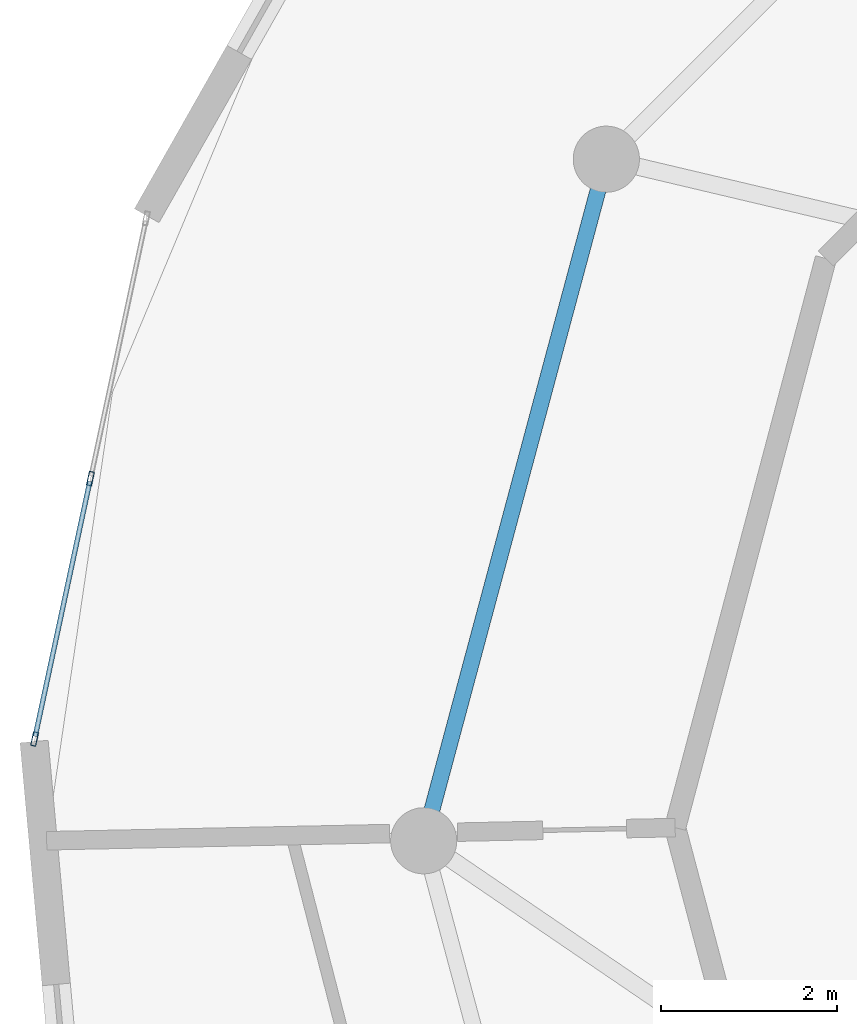
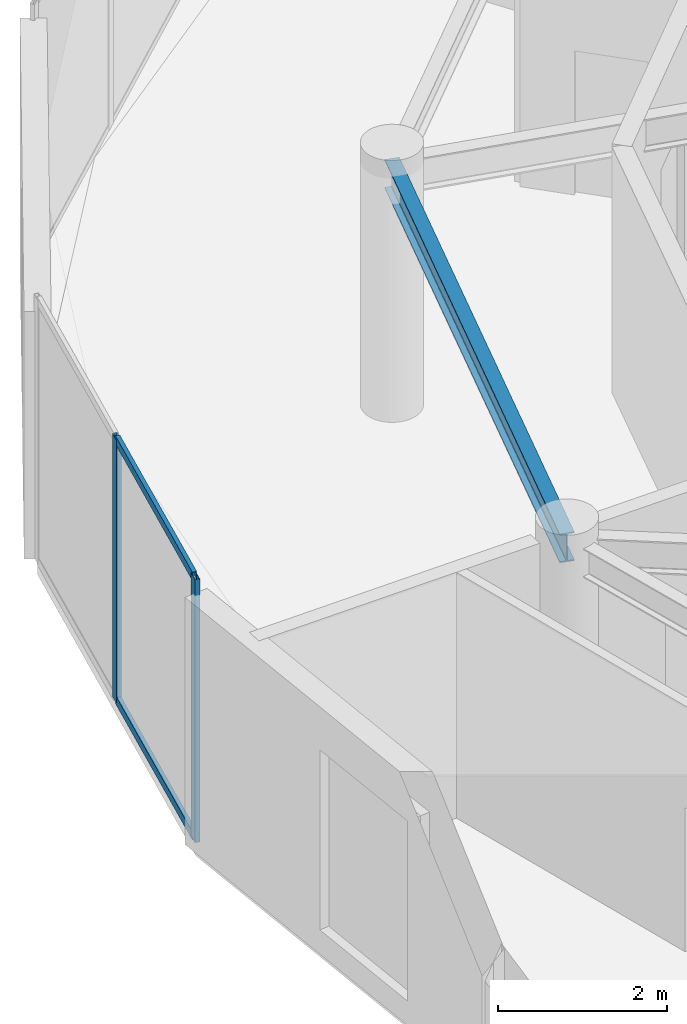
# One storey, part 7 of 22: 4 members, 1 beam, 1 element without a shape of its own.
"""IFC4 building model written with IfcOpenShell, lengths in metres."""

from ifc_helpers import new_model, si_unit, direction, frame, origin, origin_2d, place, context, subcontext, project, spatial, hollow_rectangle, i_section, extrude, source, transform, mapped, material, layer, layer_set, material_profile, profile_set, type_object, element, aggregate, save


model = new_model("IFC4")

# Units and contexts
model_context = context("Model", 3, precision=1e-05, world=origin(), true_north=direction((0.0, 1.0)))
body_context = subcontext(model_context, "Body", "Model", "MODEL_VIEW")
ifc_project = project(units=[si_unit("LENGTHUNIT", "METRE"), si_unit("AREAUNIT", "SQUARE_METRE"), si_unit("VOLUMEUNIT", "CUBIC_METRE"), si_unit("PLANEANGLEUNIT", "RADIAN"), si_unit("MASSUNIT", "GRAM", prefix="KILO")], contexts=[model_context])

# Site, building, storey
site_placement = place(None, origin())
site = spatial("IfcSite", under=ifc_project, at=site_placement, CompositionType="ELEMENT")
building_placement = place(site_placement, origin())
building = spatial("IfcBuilding", under=site, at=building_placement, Name="Solvirekh Grand Hotel", CompositionType="ELEMENT")
storey_placement = place(building_placement, frame((0.0, 0.0, 289.60009765625)))
storey = spatial("IfcBuildingStorey", under=building, at=storey_placement, Name="L75", CompositionType="ELEMENT", Elevation=289.60009765625)

# Beam
ifc_material_1 = material(Name="Steel S355", Category="steel")
ifc_material_profile_1 = material_profile(ifc_material_1, i_section(OverallWidth=0.180908203125, OverallDepth=0.4169921875, WebThickness=0.010009765625, FlangeThickness=0.01611328125, FilletRadius=0.011962890625, at=origin_2d()), Name="W410X85")
ifc_profile_set_1 = profile_set([ifc_material_profile_1], Name="Steel S355")
beam_type = type_object("IfcBeamType", Name="Spandrel_Ring_W410", PredefinedType="SPANDREL", material=ifc_profile_set_1)
beam_placement = place(storey_placement, frame((-13.3798828125, 7.72509765625, 3.36181640625), z_axis=(-0.258834757072, -0.965921616143, 0.0), x_axis=(0.965921616143, -0.258834757072, 0.0)))
element("IfcBeam", 1, at=beam_placement, inside=storey, type_object=beam_type, Name="L75 perimeter spandrel beam 6", PredefinedType="SPANDREL", context=body_context, shape_type="SweptSolid", body=[
    extrude(i_section(OverallWidth=0.180908203125, OverallDepth=0.4169921875, WebThickness=0.010009765625, FlangeThickness=0.01611328125, FilletRadius=0.011962890625, at=origin_2d()), origin(), (0.0, 0.0, 1.0), 7.99755859375),
])

# Curtain wall, members
ifc_material_2 = material(Name="Anodized Bronze Aluminium 6063-T6", Category="aluminium")
ifc_layer = layer(ifc_material_2, 0.159912109375)
ifc_layer_set = layer_set([ifc_layer], Name="Anodized Bronze Aluminium 6063-T6")
curtain_wall_type = type_object("IfcCurtainWallType", Name="CW_Sys4_HighZoneFlushBronzeCW", PredefinedType="NOTDEFINED", material=ifc_layer_set)
curtain_wall_placement = place(storey_placement, origin())
curtain_wall = element("IfcCurtainWall", 2, at=curtain_wall_placement, inside=storey, type_object=curtain_wall_type, Name="L75 unitised bronze-glass curtain wall CW-L75-C15", PredefinedType="NOTDEFINED")
ifc_material_profile_2 = material_profile(ifc_material_2, hollow_rectangle(XDim=0.06005859375, YDim=0.159912109375, WallThickness=0.0048828125, at=origin_2d()), Name="ALU RHS 160X60X5")
ifc_profile_set_2 = profile_set([ifc_material_profile_2], Name="Anodized Bronze Aluminium 6063-T6")
member_type_1 = type_object("IfcMemberType", Name="CWMullion_Sys4", PredefinedType="MULLION", material=ifc_profile_set_2)
shared_shape_1 = source(origin(), body_context, "Body", "SweptSolid", [
    extrude(hollow_rectangle(XDim=0.06005859375, YDim=0.159912109375, WallThickness=0.0048828125, at=origin_2d()), origin(), (0.0, 0.0, 1.0), 3.7998046875),
])
member_1_placement = place(storey_placement, frame((-19.2275390625, 4.10498046875, 0.0), z_axis=(0.0, 0.0, 1.0), x_axis=(0.977807215623, -0.209506680265, 0.0)))
member_1 = element("IfcMember", 3, at=member_1_placement, type_object=member_type_1, Name="U04 mullion 2", PredefinedType="MULLION", context=body_context, shape_type="MappedRepresentation", body=[
    mapped(shared_shape_1, transform((0.0, 0.0, 0.0), x_axis=(1.0, 0.0, 0.0), y_axis=(0.0, 1.0, 0.0), z_axis=(0.0, 0.0, 1.0), scale=1.0)),
])
member_2_placement = place(storey_placement, frame((-19.859619140625, 1.154296875, 0.0), z_axis=(0.0, 0.0, 1.0), x_axis=(0.977807215623, -0.209506680265, 0.0)))
member_2 = element("IfcMember", 4, at=member_2_placement, type_object=member_type_1, Name="U04 mullion 3", PredefinedType="MULLION", context=body_context, shape_type="MappedRepresentation", body=[
    mapped(shared_shape_1, transform((0.0, 0.0, 0.0), x_axis=(1.0, 0.0, 0.0), y_axis=(0.0, 1.0, 0.0), z_axis=(0.0, 0.0, 1.0), scale=1.0)),
])
ifc_material_profile_3 = material_profile(ifc_material_2, hollow_rectangle(XDim=0.054931640625, YDim=0.1201171875, WallThickness=0.00390625, at=origin_2d()), Name="ALU RHS 120X55X4")
ifc_profile_set_3 = profile_set([ifc_material_profile_3], Name="Anodized Bronze Aluminium 6063-T6")
member_type_2 = type_object("IfcMemberType", Name="CWTransom_Sys4", PredefinedType="USERDEFINED", material=ifc_profile_set_3)
shared_shape_2 = source(origin(), body_context, "Body", "SweptSolid", [
    extrude(hollow_rectangle(XDim=0.054931640625, YDim=0.1201171875, WallThickness=0.00390625, at=origin_2d()), origin(), (0.0, 0.0, 1.0), 2.957763671875),
])
member_3_placement = place(storey_placement, frame((-19.23388671875, 4.07568359375, 0.02734375), z_axis=(-0.209495265925, -0.97780966121, 0.0), x_axis=(0.97780966121, -0.209495265925, 0.0)))
member_3 = element("IfcMember", 5, at=member_3_placement, type_object=member_type_2, Name="U04 transom 2.1", ObjectType="TRANSOM", PredefinedType="USERDEFINED", context=body_context, shape_type="MappedRepresentation", body=[
    mapped(shared_shape_2, transform((0.0, 0.0, 0.0), x_axis=(1.0, 0.0, 0.0), y_axis=(0.0, 1.0, 0.0), z_axis=(0.0, 0.0, 1.0), scale=1.0)),
])
member_4_placement = place(storey_placement, frame((-19.23388671875, 4.07568359375, 3.7724609375), z_axis=(-0.209495265925, -0.97780966121, 0.0), x_axis=(0.97780966121, -0.209495265925, 0.0)))
member_4 = element("IfcMember", 6, at=member_4_placement, type_object=member_type_2, Name="U04 transom 2.2", ObjectType="TRANSOM", PredefinedType="USERDEFINED", context=body_context, shape_type="MappedRepresentation", body=[
    mapped(shared_shape_2, transform((0.0, 0.0, 0.0), x_axis=(1.0, 0.0, 0.0), y_axis=(0.0, 1.0, 0.0), z_axis=(0.0, 0.0, 1.0), scale=1.0)),
])
aggregate(curtain_wall, [member_1, member_2, member_3, member_4])

save(model, "model.ifc")
